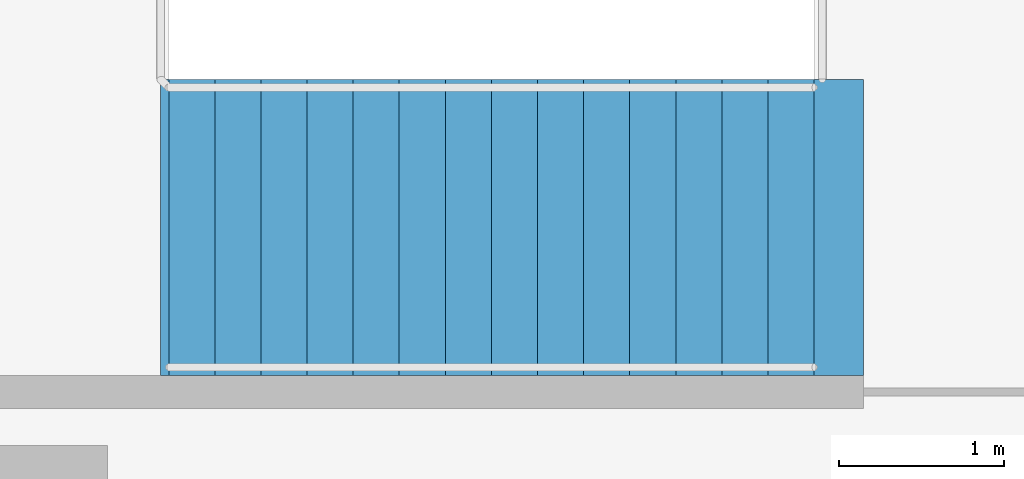
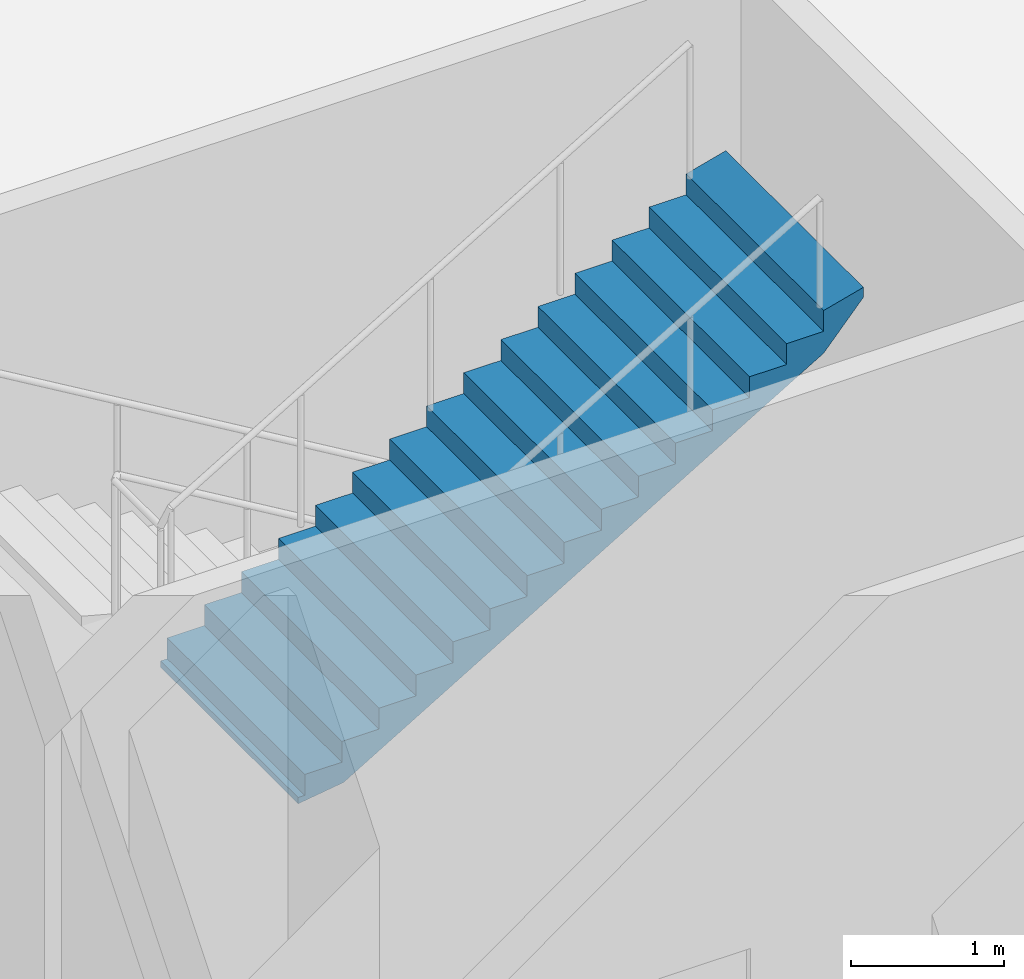
# One storey, part 24 of 30: 1 stair flight, 1 element without a shape of its own.
"""IFC4 building model written with IfcOpenShell, lengths in metres."""

from ifc_helpers import new_model, si_unit, direction, frame, origin, place, context, subcontext, project, spatial, polyline, outline, extrude, material, type_object, element, aggregate, save


model = new_model("IFC4")

# Units and contexts
model_context = context("Model", 3, precision=1e-05, world=origin(), true_north=direction((0.0, 1.0)))
body_context = subcontext(model_context, "Body", "Model", "MODEL_VIEW")
ifc_project = project(units=[si_unit("LENGTHUNIT", "METRE"), si_unit("AREAUNIT", "SQUARE_METRE"), si_unit("VOLUMEUNIT", "CUBIC_METRE"), si_unit("PLANEANGLEUNIT", "RADIAN"), si_unit("MASSUNIT", "GRAM", prefix="KILO")], contexts=[model_context])

# Site, building, storey
site_placement = place(None, origin())
site = spatial("IfcSite", under=ifc_project, at=site_placement, CompositionType="ELEMENT")
building_placement = place(site_placement, origin())
building = spatial("IfcBuilding", under=site, at=building_placement, Name="Zarbagh Exchange Tower", CompositionType="ELEMENT")
storey_placement = place(building_placement, frame((0.0, 0.0, 7.0)))
storey = spatial("IfcBuildingStorey", under=building, at=storey_placement, Name="L01", CompositionType="ELEMENT", Elevation=7.0)

# Stair, stair flight
ifc_material = material(Name="Concrete C40/50", Category="concrete")
stair_type = type_object("IfcStairType", Name="Exit stair two-flight half-turn", PredefinedType="HALF_TURN_STAIR", material=ifc_material)
stair_placement = place(storey_placement, origin())
stair = element("IfcStair", 1, at=stair_placement, inside=storey, type_object=stair_type, Name="exit stair PS3", PredefinedType="HALF_TURN_STAIR")
stair_flight_type = type_object("IfcStairFlightType", Name="Stair flight 1800 mm", PredefinedType="STRAIGHT", material=ifc_material)
stair_flight_placement = place(storey_placement, frame((29.8798828125, 7.39990234375, 2.5), z_axis=(0.0, 0.0, 1.0), x_axis=(1.0, 0.0, 0.0)))
stair_flight = element("IfcStairFlight", 2, at=stair_flight_placement, type_object=stair_flight_type, Name="PS3 flight 2", NumberOfRisers=15, NumberOfTreads=14, PredefinedType="STRAIGHT", RiserHeight=0.166666667, TreadLength=0.28, context=body_context, shape_type="SweptSolid", body=[
    extrude(outline(polyline([(-0.050048828125, -0.050048828125), (-0.050048828125, 0.0), (0.0, 0.0), (0.0, 0.166748046875), (0.280029296875, 0.166748046875), (0.280029296875, 0.333251953125), (0.56005859375, 0.333251953125), (0.56005859375, 0.5), (0.840087890625, 0.5), (0.840087890625, 0.666748046875), (1.1201171875, 0.666748046875), (1.1201171875, 0.833251953125), (1.39990234375, 0.833251953125), (1.39990234375, 1.0), (1.679931640625, 1.0), (1.679931640625, 1.166748046875), (1.9599609375, 1.166748046875), (1.9599609375, 1.333251953125), (2.239990234375, 1.333251953125), (2.239990234375, 1.5), (2.52001953125, 1.5), (2.52001953125, 1.666748046875), (2.800048828125, 1.666748046875), (2.800048828125, 1.833251953125), (3.080078125, 1.833251953125), (3.080078125, 2.0), (3.360107421875, 2.0), (3.360107421875, 2.166748046875), (3.639892578125, 2.166748046875), (3.639892578125, 2.333251953125), (3.919921875, 2.333251953125), (3.919921875, 2.5), (4.219970703125, 2.580078125), (4.219970703125, 2.5), (3.919921875, 2.158935546875), (0.29296875, 0.0), (-0.050048828125, -0.050048828125)])), frame((0.0, 0.89990234375, 0.0), z_axis=(0.0, -1.0, 0.0), x_axis=(1.0, 0.0, 0.0)), (0.0, 0.0, 1.0), 1.800048828125),
])
aggregate(stair, [stair_flight])

save(model, "model.ifc")
